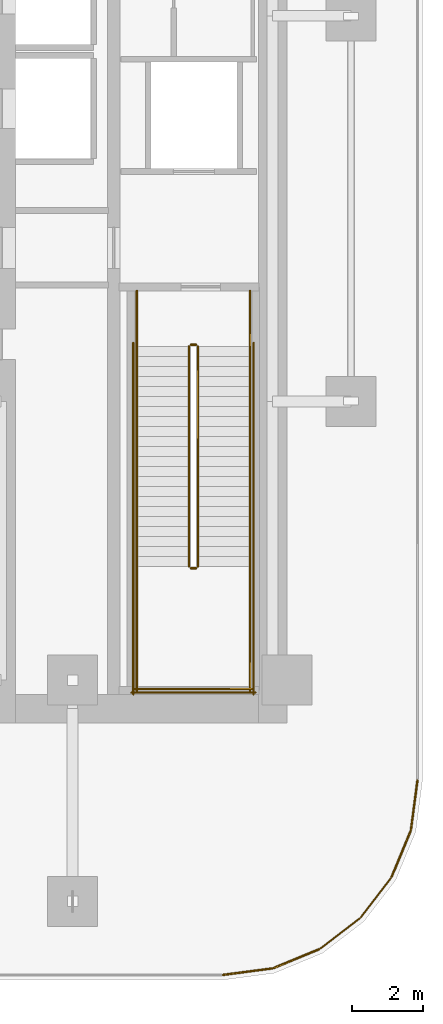
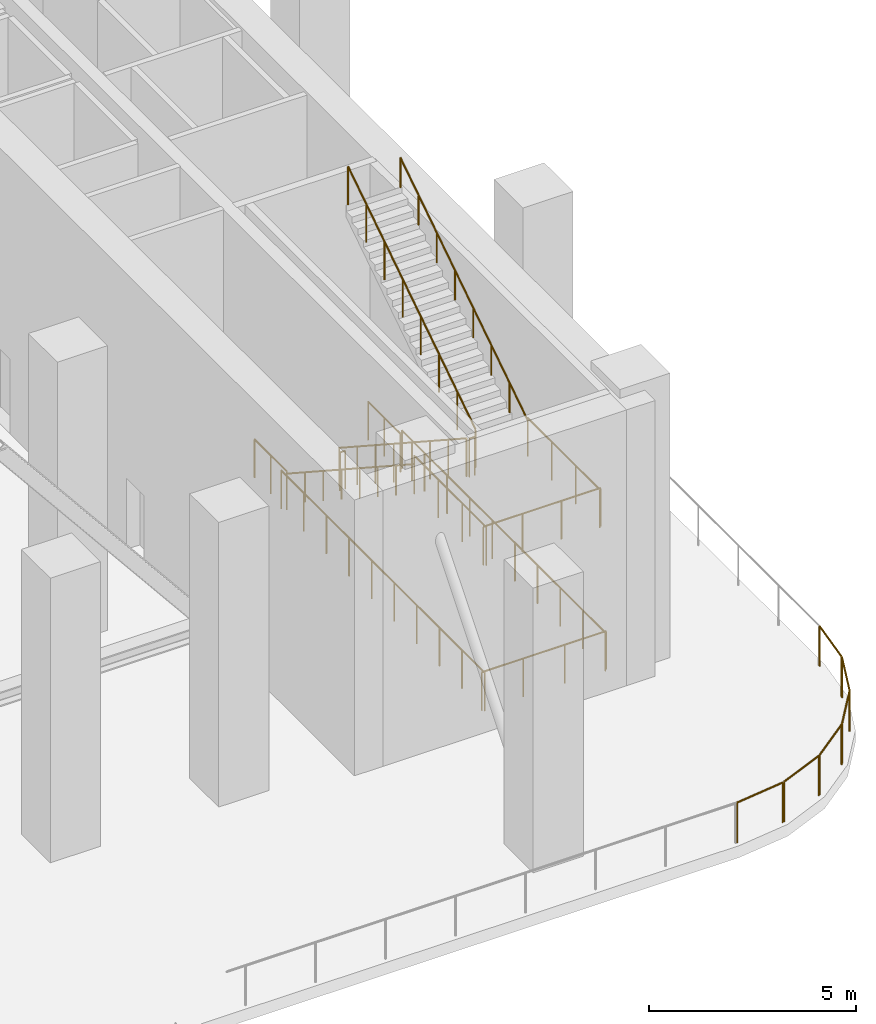
# One storey, part 10 of 13: 20 railings.
"""IFC4 building model written with IfcOpenShell, lengths in metres."""

from ifc_helpers import new_model, si_unit, direction, frame, origin, origin_2d, place, context, subcontext, project, spatial, circle, extrude, material, type_object, element, save


model = new_model("IFC4")

# Units and contexts
model_context = context("Model", 3, precision=1e-05, world=origin(), true_north=direction((0.0, 1.0)))
body_context = subcontext(model_context, "Body", "Model", "MODEL_VIEW")
ifc_project = project(units=[si_unit("LENGTHUNIT", "METRE"), si_unit("AREAUNIT", "SQUARE_METRE"), si_unit("VOLUMEUNIT", "CUBIC_METRE"), si_unit("PLANEANGLEUNIT", "RADIAN"), si_unit("MASSUNIT", "GRAM", prefix="KILO")], contexts=[model_context])

# Site, building, storey
site_placement = place(None, origin())
site = spatial("IfcSite", under=ifc_project, at=site_placement, CompositionType="ELEMENT")
building_placement = place(site_placement, origin())
building = spatial("IfcBuilding", under=site, at=building_placement, Name="Khairoan Windgate Tower", CompositionType="ELEMENT")
storey_placement = place(building_placement, frame((0.0, 0.0, 84.800048828125)))
storey = spatial("IfcBuildingStorey", under=building, at=storey_placement, Name="L20", CompositionType="ELEMENT", Elevation=84.800048828125)

# Railings
ifc_material_1 = material(Name="Anodised Bronze Aluminium 6063-T6", Category="aluminium")
railing_type_1 = type_object("IfcRailingType", Name="Aerodynamic Bronze-and-Glass Balustrade BAL-1200", PredefinedType="BALUSTRADE", material=ifc_material_1)
railing_1_placement = place(storey_placement, frame((24.056640625, -21.41552734375, 0.0)))
element("IfcRailing", 1, at=railing_1_placement, inside=storey, type_object=railing_type_1, Name="L20 Wind-Slot Portal Perimeter Balustrade 23", PredefinedType="BALUSTRADE", context=body_context, shape_type="SweptSolid", body=[
    extrude(circle(Radius=0.02392578125, at=origin_2d()), frame((0.0, 0.0, 1.17578125), z_axis=(-0.130326776743, -0.991471094518, 0.0), x_axis=(0.991471094518, -0.130326776743, 0.0)), (0.0, 0.0, 1.0), 1.38427734375),
    extrude(circle(Radius=0.02099609375, at=origin_2d()), origin(), (0.0, 0.0, 1.0), 1.15185546875),
    extrude(circle(Radius=0.02099609375, at=origin_2d()), frame((-0.180419921875, -1.37255859375, 0.0)), (0.0, 0.0, 1.0), 1.15185546875),
])
railing_2_placement = place(storey_placement, frame((23.86328125, -22.8359375, 0.0)))
element("IfcRailing", 2, at=railing_2_placement, inside=storey, type_object=railing_type_1, Name="L20 Wind-Slot Portal Perimeter Balustrade 24", PredefinedType="BALUSTRADE", context=body_context, shape_type="SweptSolid", body=[
    extrude(circle(Radius=0.02392578125, at=origin_2d()), frame((0.0, 0.0, 1.17578125), z_axis=(-0.382811769845, -0.923826362943, 0.0), x_axis=(0.923826362943, -0.382811769845, 0.0)), (0.0, 0.0, 1.0), 1.375),
    extrude(circle(Radius=0.02099609375, at=origin_2d()), origin(), (0.0, 0.0, 1.0), 1.15185546875),
    extrude(circle(Radius=0.02099609375, at=origin_2d()), frame((-0.5263671875, -1.270263671875, 0.0)), (0.0, 0.0, 1.0), 1.15185546875),
])
railing_3_placement = place(storey_placement, frame((23.312255859375, -24.149169921875, 0.0)))
element("IfcRailing", 3, at=railing_3_placement, inside=storey, type_object=railing_type_1, Name="L20 Wind-Slot Portal Perimeter Balustrade 25", PredefinedType="BALUSTRADE", context=body_context, shape_type="SweptSolid", body=[
    extrude(circle(Radius=0.02392578125, at=origin_2d()), frame((0.0, 0.0, 1.17578125), z_axis=(-0.608740834578, -0.793369142529, 0.0), x_axis=(0.793369142529, -0.608740834578, 0.0)), (0.0, 0.0, 1.0), 1.375244140625),
    extrude(circle(Radius=0.02099609375, at=origin_2d()), origin(), (0.0, 0.0, 1.0), 1.15185546875),
    extrude(circle(Radius=0.02099609375, at=origin_2d()), frame((-0.837158203125, -1.091064453125, 0.0)), (0.0, 0.0, 1.0), 1.15185546875),
])
railing_4_placement = place(storey_placement, frame((22.440185546875, -25.275146484375, 0.0)))
element("IfcRailing", 4, at=railing_4_placement, inside=storey, type_object=railing_type_1, Name="L20 Wind-Slot Portal Perimeter Balustrade 26", PredefinedType="BALUSTRADE", context=body_context, shape_type="SweptSolid", body=[
    extrude(circle(Radius=0.02392578125, at=origin_2d()), frame((0.0, 0.0, 1.17578125), z_axis=(-0.793369142529, -0.608740834578, 0.0), x_axis=(0.608740834578, -0.793369142529, 0.0)), (0.0, 0.0, 1.0), 1.375244140625),
    extrude(circle(Radius=0.02099609375, at=origin_2d()), origin(), (0.0, 0.0, 1.0), 1.15185546875),
    extrude(circle(Radius=0.02099609375, at=origin_2d()), frame((-1.091064453125, -0.837158203125, 0.0)), (0.0, 0.0, 1.0), 1.15185546875),
])
railing_5_placement = place(storey_placement, frame((21.306396484375, -26.136962890625, 0.0)))
element("IfcRailing", 5, at=railing_5_placement, inside=storey, type_object=railing_type_1, Name="L20 Wind-Slot Portal Perimeter Balustrade 27", PredefinedType="BALUSTRADE", context=body_context, shape_type="SweptSolid", body=[
    extrude(circle(Radius=0.02392578125, at=origin_2d()), frame((0.0, 0.0, 1.17578125), z_axis=(-0.923915142674, -0.382597450512, 0.0), x_axis=(0.382597450512, -0.923915142674, 0.0)), (0.0, 0.0, 1.0), 1.375244140625),
    extrude(circle(Radius=0.02099609375, at=origin_2d()), origin(), (0.0, 0.0, 1.0), 1.15185546875),
    extrude(circle(Radius=0.02099609375, at=origin_2d()), frame((-1.2705078125, -0.526123046875, 0.0)), (0.0, 0.0, 1.0), 1.15185546875),
])
railing_6_placement = place(storey_placement, frame((19.988037109375, -26.676025390625, 0.0)))
element("IfcRailing", 6, at=railing_6_placement, inside=storey, type_object=railing_type_1, Name="L20 Wind-Slot Portal Perimeter Balustrade 28", PredefinedType="BALUSTRADE", context=body_context, shape_type="SweptSolid", body=[
    extrude(circle(Radius=0.02392578125, at=origin_2d()), frame((0.0, 0.0, 1.17578125), z_axis=(-0.991448292058, -0.130500130936, 0.0), x_axis=(0.130500130936, -0.991448292058, 0.0)), (0.0, 0.0, 1.0), 1.38427734375),
    extrude(circle(Radius=0.02099609375, at=origin_2d()), origin(), (0.0, 0.0, 1.0), 1.15185546875),
    extrude(circle(Radius=0.02099609375, at=origin_2d()), frame((-1.37255859375, -0.1806640625, 0.0)), (0.0, 0.0, 1.0), 1.15185546875),
])
ifc_material_2 = material(Name="Anodised Bronze Aluminium 6063-T6", Category="aluminium")
railing_type_2 = type_object("IfcRailingType", Name="Stair Wall Handrail SHR-900", PredefinedType="HANDRAIL", material=ifc_material_2)
railing_7_placement = place(storey_placement, frame((16.199951171875, -9.260009765625, 0.1826171875)))
element("IfcRailing", 7, at=railing_7_placement, inside=storey, type_object=railing_type_2, Name="L20 ST1 stair handrail 1", PredefinedType="HANDRAIL", context=body_context, shape_type="SweptSolid", body=[
    extrude(circle(Radius=0.02392578125, at=origin_2d()), frame((0.0, 0.0, 0.8759765625), z_axis=(0.0, -0.837610596839, 0.546267780547), x_axis=(1.0, 0.0, 0.0)), (0.0, 0.0, 1.0), 7.354248046875),
    extrude(circle(Radius=0.02099609375, at=origin_2d()), origin(), (0.0, 0.0, 1.0), 0.851806640625),
    extrude(circle(Radius=0.02099609375, at=origin_2d()), frame((0.0, -0.8798828125, 0.573974609375)), (0.0, 0.0, 1.0), 0.851806640625),
    extrude(circle(Radius=0.02099609375, at=origin_2d()), frame((0.0, -1.760009765625, 1.147705078125)), (0.0, 0.0, 1.0), 0.851806640625),
    extrude(circle(Radius=0.02099609375, at=origin_2d()), frame((0.0, -2.639892578125, 1.7216796875)), (0.0, 0.0, 1.0), 0.851806640625),
    extrude(circle(Radius=0.02099609375, at=origin_2d()), frame((0.0, -3.52001953125, 2.295654296875)), (0.0, 0.0, 1.0), 0.851806640625),
    extrude(circle(Radius=0.02099609375, at=origin_2d()), frame((0.0, -4.39990234375, 2.86962890625)), (0.0, 0.0, 1.0), 0.851806640625),
    extrude(circle(Radius=0.02099609375, at=origin_2d()), frame((0.0, -5.280029296875, 3.443359375)), (0.0, 0.0, 1.0), 0.851806640625),
    extrude(circle(Radius=0.02099609375, at=origin_2d()), frame((0.0, -6.159912109375, 4.017333984375)), (0.0, 0.0, 1.0), 0.851806640625),
])
railing_8_placement = place(storey_placement, frame((19.3701171875, -15.419921875, 4.382568359375)))
element("IfcRailing", 8, at=railing_8_placement, inside=storey, type_object=railing_type_2, Name="L20 ST1 stair handrail 2", PredefinedType="HANDRAIL", context=body_context, shape_type="SweptSolid", body=[
    extrude(circle(Radius=0.02392578125, at=origin_2d()), frame((0.0, 0.0, 0.8759765625), z_axis=(0.0, 0.837610596839, 0.546267780547), x_axis=(-1.0, 0.0, 0.0)), (0.0, 0.0, 1.0), 7.354248046875),
    extrude(circle(Radius=0.02099609375, at=origin_2d()), origin(), (0.0, 0.0, 1.0), 0.851806640625),
    extrude(circle(Radius=0.02099609375, at=origin_2d()), frame((0.0, 0.8798828125, 0.573974609375)), (0.0, 0.0, 1.0), 0.851806640625),
    extrude(circle(Radius=0.02099609375, at=origin_2d()), frame((0.0, 1.760009765625, 1.147705078125)), (0.0, 0.0, 1.0), 0.851806640625),
    extrude(circle(Radius=0.02099609375, at=origin_2d()), frame((0.0, 2.639892578125, 1.7216796875)), (0.0, 0.0, 1.0), 0.851806640625),
    extrude(circle(Radius=0.02099609375, at=origin_2d()), frame((0.0, 3.52001953125, 2.295654296875)), (0.0, 0.0, 1.0), 0.851806640625),
    extrude(circle(Radius=0.02099609375, at=origin_2d()), frame((0.0, 4.39990234375, 2.86962890625)), (0.0, 0.0, 1.0), 0.851806640625),
    extrude(circle(Radius=0.02099609375, at=origin_2d()), frame((0.0, 5.280029296875, 3.443359375)), (0.0, 0.0, 1.0), 0.851806640625),
    extrude(circle(Radius=0.02099609375, at=origin_2d()), frame((0.0, 6.159912109375, 4.017333984375)), (0.0, 0.0, 1.0), 0.851806640625),
])
ifc_material_3 = material(Name="Steel S355", Category="steel")
railing_type_3 = type_object("IfcRailingType", Name="Stairwell Safety Guardrail SGR-1150", PredefinedType="GUARDRAIL", material=ifc_material_3)
railing_9_placement = place(storey_placement, frame((17.659912109375, -9.260009765625, 0.1826171875)))
element("IfcRailing", 9, at=railing_9_placement, inside=storey, type_object=railing_type_3, Name="L20 ST1 stair guard 1", PredefinedType="GUARDRAIL", context=body_context, shape_type="SweptSolid", body=[
    extrude(circle(Radius=0.02392578125, at=origin_2d()), frame((0.0, 0.0, 1.1259765625), z_axis=(0.0, -0.837610596839, 0.546267780547), x_axis=(1.0, 0.0, 0.0)), (0.0, 0.0, 1.0), 7.354248046875),
    extrude(circle(Radius=0.02099609375, at=origin_2d()), origin(), (0.0, 0.0, 1.0), 1.101806640625),
    extrude(circle(Radius=0.02099609375, at=origin_2d()), frame((0.0, -0.8798828125, 0.573974609375)), (0.0, 0.0, 1.0), 1.101806640625),
    extrude(circle(Radius=0.02099609375, at=origin_2d()), frame((0.0, -1.760009765625, 1.147705078125)), (0.0, 0.0, 1.0), 1.101806640625),
    extrude(circle(Radius=0.02099609375, at=origin_2d()), frame((0.0, -2.639892578125, 1.7216796875)), (0.0, 0.0, 1.0), 1.101806640625),
    extrude(circle(Radius=0.02099609375, at=origin_2d()), frame((0.0, -3.52001953125, 2.295654296875)), (0.0, 0.0, 1.0), 1.101806640625),
    extrude(circle(Radius=0.02099609375, at=origin_2d()), frame((0.0, -4.39990234375, 2.86962890625)), (0.0, 0.0, 1.0), 1.101806640625),
    extrude(circle(Radius=0.02099609375, at=origin_2d()), frame((0.0, -5.280029296875, 3.443359375)), (0.0, 0.0, 1.0), 1.101806640625),
    extrude(circle(Radius=0.02099609375, at=origin_2d()), frame((0.0, -6.159912109375, 4.017333984375)), (0.0, 0.0, 1.0), 1.101806640625),
])
railing_10_placement = place(storey_placement, frame((17.7099609375, -15.469970703125, 4.199951171875)))
element("IfcRailing", 10, at=railing_10_placement, inside=storey, type_object=railing_type_3, Name="L20 ST1 stair guard 2", PredefinedType="GUARDRAIL", context=body_context, shape_type="SweptSolid", body=[
    extrude(circle(Radius=0.02392578125, at=origin_2d()), frame((0.0, 0.0, 1.1259765625), z_axis=(1.0, 0.0, 0.0), x_axis=(0.0, 1.0, 0.0)), (0.0, 0.0, 1.0), 0.150146484375),
    extrude(circle(Radius=0.02099609375, at=origin_2d()), origin(), (0.0, 0.0, 1.0), 1.101806640625),
    extrude(circle(Radius=0.02099609375, at=origin_2d()), frame((0.150146484375, 0.0, 0.0)), (0.0, 0.0, 1.0), 1.101806640625),
])
for number, where, name in (
    (11, (16.199951171875, -15.419921875, 4.199951171875), "L20 ST1 stair guard 3"),
    (12, (19.3701171875, -15.419921875, 4.199951171875), "L20 ST1 stair guard 4"),
):
    element("IfcRailing", number, at=place(storey_placement, frame(where)), inside=storey, type_object=railing_type_3, Name=name, PredefinedType="GUARDRAIL", context=body_context, shape_type="SweptSolid", body=[
        extrude(circle(Radius=0.02392578125, at=origin_2d()), frame((0.0, 0.0, 1.1259765625), z_axis=(0.0, -1.0, 0.0), x_axis=(1.0, 0.0, 0.0)), (0.0, 0.0, 1.0), 3.47998046875),
        extrude(circle(Radius=0.02099609375, at=origin_2d()), origin(), (0.0, 0.0, 1.0), 1.101806640625),
        extrude(circle(Radius=0.02099609375, at=origin_2d()), frame((0.0, -1.159912109375, 0.0)), (0.0, 0.0, 1.0), 1.101806640625),
        extrude(circle(Radius=0.02099609375, at=origin_2d()), frame((0.0, -2.320068359375, 0.0)), (0.0, 0.0, 1.0), 1.101806640625),
        extrude(circle(Radius=0.02099609375, at=origin_2d()), frame((0.0, -3.47998046875, 0.0)), (0.0, 0.0, 1.0), 1.101806640625),
    ])
railing_11_placement = place(storey_placement, frame((16.14990234375, -18.85009765625, 4.199951171875)))
element("IfcRailing", 13, at=railing_11_placement, inside=storey, type_object=railing_type_3, Name="L20 ST1 stair guard 5", PredefinedType="GUARDRAIL", context=body_context, shape_type="SweptSolid", body=[
    extrude(circle(Radius=0.02392578125, at=origin_2d()), frame((0.0, 0.0, 1.1259765625), z_axis=(1.0, 0.0, 0.0), x_axis=(0.0, 1.0, 0.0)), (0.0, 0.0, 1.0), 3.27001953125),
    extrude(circle(Radius=0.02099609375, at=origin_2d()), origin(), (0.0, 0.0, 1.0), 1.101806640625),
    extrude(circle(Radius=0.02099609375, at=origin_2d()), frame((1.090087890625, 0.0, 0.0)), (0.0, 0.0, 1.0), 1.101806640625),
    extrude(circle(Radius=0.02099609375, at=origin_2d()), frame((2.179931640625, 0.0, 0.0)), (0.0, 0.0, 1.0), 1.101806640625),
    extrude(circle(Radius=0.02099609375, at=origin_2d()), frame((3.27001953125, 0.0, 0.0)), (0.0, 0.0, 1.0), 1.101806640625),
])
railing_12_placement = place(storey_placement, frame((17.909912109375, -15.419921875, 4.382568359375)))
element("IfcRailing", 14, at=railing_12_placement, inside=storey, type_object=railing_type_3, Name="L20 ST1 stair guard 6", PredefinedType="GUARDRAIL", context=body_context, shape_type="SweptSolid", body=[
    extrude(circle(Radius=0.02392578125, at=origin_2d()), frame((0.0, 0.0, 1.1259765625), z_axis=(0.0, 0.837610596839, 0.546267780547), x_axis=(-1.0, 0.0, 0.0)), (0.0, 0.0, 1.0), 7.354248046875),
    extrude(circle(Radius=0.02099609375, at=origin_2d()), origin(), (0.0, 0.0, 1.0), 1.101806640625),
    extrude(circle(Radius=0.02099609375, at=origin_2d()), frame((0.0, 0.8798828125, 0.573974609375)), (0.0, 0.0, 1.0), 1.101806640625),
    extrude(circle(Radius=0.02099609375, at=origin_2d()), frame((0.0, 1.760009765625, 1.147705078125)), (0.0, 0.0, 1.0), 1.101806640625),
    extrude(circle(Radius=0.02099609375, at=origin_2d()), frame((0.0, 2.639892578125, 1.7216796875)), (0.0, 0.0, 1.0), 1.101806640625),
    extrude(circle(Radius=0.02099609375, at=origin_2d()), frame((0.0, 3.52001953125, 2.295654296875)), (0.0, 0.0, 1.0), 1.101806640625),
    extrude(circle(Radius=0.02099609375, at=origin_2d()), frame((0.0, 4.39990234375, 2.86962890625)), (0.0, 0.0, 1.0), 1.101806640625),
    extrude(circle(Radius=0.02099609375, at=origin_2d()), frame((0.0, 5.280029296875, 3.443359375)), (0.0, 0.0, 1.0), 1.101806640625),
    extrude(circle(Radius=0.02099609375, at=origin_2d()), frame((0.0, 6.159912109375, 4.017333984375)), (0.0, 0.0, 1.0), 1.101806640625),
])
railing_13_placement = place(storey_placement, frame((17.7099609375, -9.2099609375, 0.0)))
element("IfcRailing", 15, at=railing_13_placement, inside=storey, type_object=railing_type_3, Name="L20 ST1 stair guard 7", PredefinedType="GUARDRAIL", context=body_context, shape_type="SweptSolid", body=[
    extrude(circle(Radius=0.02392578125, at=origin_2d()), frame((0.0, 0.0, 1.1259765625), z_axis=(1.0, 0.0, 0.0), x_axis=(0.0, 1.0, 0.0)), (0.0, 0.0, 1.0), 0.150146484375),
    extrude(circle(Radius=0.02099609375, at=origin_2d()), origin(), (0.0, 0.0, 1.0), 1.101806640625),
    extrude(circle(Radius=0.02099609375, at=origin_2d()), frame((0.150146484375, 0.0, 0.0)), (0.0, 0.0, 1.0), 1.101806640625),
])
for number, where, name in (
    (16, (16.199951171875, -7.699951171875, 0.0), "L20 ST1 stair guard 8"),
    (17, (19.3701171875, -7.699951171875, 0.0), "L20 ST1 stair guard 9"),
):
    element("IfcRailing", number, at=place(storey_placement, frame(where)), inside=storey, type_object=railing_type_3, Name=name, PredefinedType="GUARDRAIL", context=body_context, shape_type="SweptSolid", body=[
        extrude(circle(Radius=0.02392578125, at=origin_2d()), frame((0.0, 0.0, 1.1259765625), z_axis=(0.0, -1.0, 0.0), x_axis=(1.0, 0.0, 0.0)), (0.0, 0.0, 1.0), 1.56005859375),
        extrude(circle(Radius=0.02099609375, at=origin_2d()), origin(), (0.0, 0.0, 1.0), 1.101806640625),
        extrude(circle(Radius=0.02099609375, at=origin_2d()), frame((0.0, -0.780029296875, 0.0)), (0.0, 0.0, 1.0), 1.101806640625),
        extrude(circle(Radius=0.02099609375, at=origin_2d()), frame((0.0, -1.56005859375, 0.0)), (0.0, 0.0, 1.0), 1.101806640625),
    ])
for number, where, name in (
    (18, (16.10009765625, -9.159912109375, 0.0), "L20 ST1 stair guard 10"),
    (19, (19.469970703125, -9.159912109375, 0.0), "L20 ST1 stair guard 11"),
):
    element("IfcRailing", number, at=place(storey_placement, frame(where)), inside=storey, type_object=railing_type_3, Name=name, PredefinedType="GUARDRAIL", context=body_context, shape_type="SweptSolid", body=[
        extrude(circle(Radius=0.02392578125, at=origin_2d()), frame((0.0, 0.0, 1.1259765625), z_axis=(0.0, -1.0, 0.0), x_axis=(1.0, 0.0, 0.0)), (0.0, 0.0, 1.0), 9.840087890625),
        extrude(circle(Radius=0.02099609375, at=origin_2d()), origin(), (0.0, 0.0, 1.0), 1.101806640625),
        extrude(circle(Radius=0.02099609375, at=origin_2d()), frame((0.0, -1.09326171875, 0.0)), (0.0, 0.0, 1.0), 1.101806640625),
        extrude(circle(Radius=0.02099609375, at=origin_2d()), frame((0.0, -2.186767578125, 0.0)), (0.0, 0.0, 1.0), 1.101806640625),
        extrude(circle(Radius=0.02099609375, at=origin_2d()), frame((0.0, -3.280029296875, 0.0)), (0.0, 0.0, 1.0), 1.101806640625),
        extrude(circle(Radius=0.02099609375, at=origin_2d()), frame((0.0, -4.373291015625, 0.0)), (0.0, 0.0, 1.0), 1.101806640625),
        extrude(circle(Radius=0.02099609375, at=origin_2d()), frame((0.0, -5.466796875, 0.0)), (0.0, 0.0, 1.0), 1.101806640625),
        extrude(circle(Radius=0.02099609375, at=origin_2d()), frame((0.0, -6.56005859375, 0.0)), (0.0, 0.0, 1.0), 1.101806640625),
        extrude(circle(Radius=0.02099609375, at=origin_2d()), frame((0.0, -7.6533203125, 0.0)), (0.0, 0.0, 1.0), 1.101806640625),
        extrude(circle(Radius=0.02099609375, at=origin_2d()), frame((0.0, -8.746826171875, 0.0)), (0.0, 0.0, 1.0), 1.101806640625),
        extrude(circle(Radius=0.02099609375, at=origin_2d()), frame((0.0, -9.840087890625, 0.0)), (0.0, 0.0, 1.0), 1.101806640625),
    ])
railing_14_placement = place(storey_placement, frame((16.050048828125, -18.949951171875, 0.0)))
element("IfcRailing", 20, at=railing_14_placement, inside=storey, type_object=railing_type_3, Name="L20 ST1 stair guard 12", PredefinedType="GUARDRAIL", context=body_context, shape_type="SweptSolid", body=[
    extrude(circle(Radius=0.02392578125, at=origin_2d()), frame((0.0, 0.0, 1.1259765625), z_axis=(1.0, 0.0, 0.0), x_axis=(0.0, 1.0, 0.0)), (0.0, 0.0, 1.0), 3.469970703125),
    extrude(circle(Radius=0.02099609375, at=origin_2d()), origin(), (0.0, 0.0, 1.0), 1.101806640625),
    extrude(circle(Radius=0.02099609375, at=origin_2d()), frame((1.15673828125, 0.0, 0.0)), (0.0, 0.0, 1.0), 1.101806640625),
    extrude(circle(Radius=0.02099609375, at=origin_2d()), frame((2.313232421875, 0.0, 0.0)), (0.0, 0.0, 1.0), 1.101806640625),
    extrude(circle(Radius=0.02099609375, at=origin_2d()), frame((3.469970703125, 0.0, 0.0)), (0.0, 0.0, 1.0), 1.101806640625),
])

save(model, "model.ifc")
